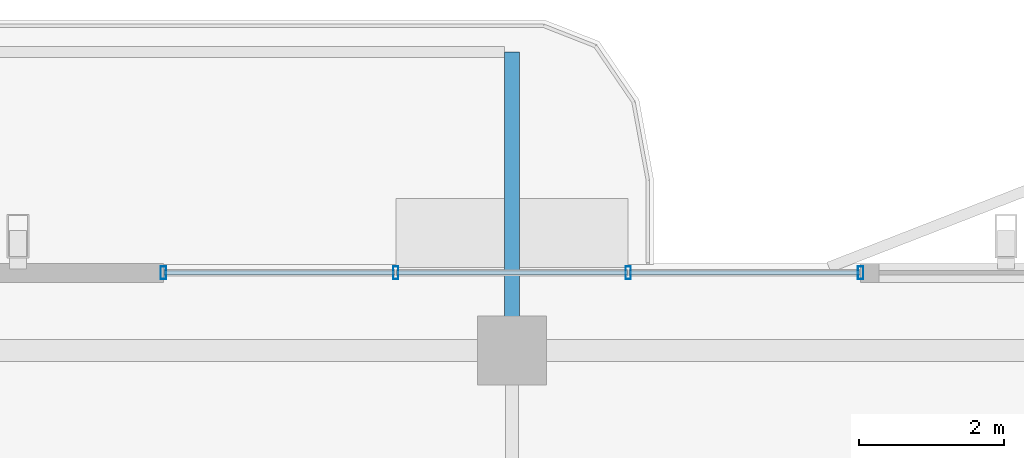
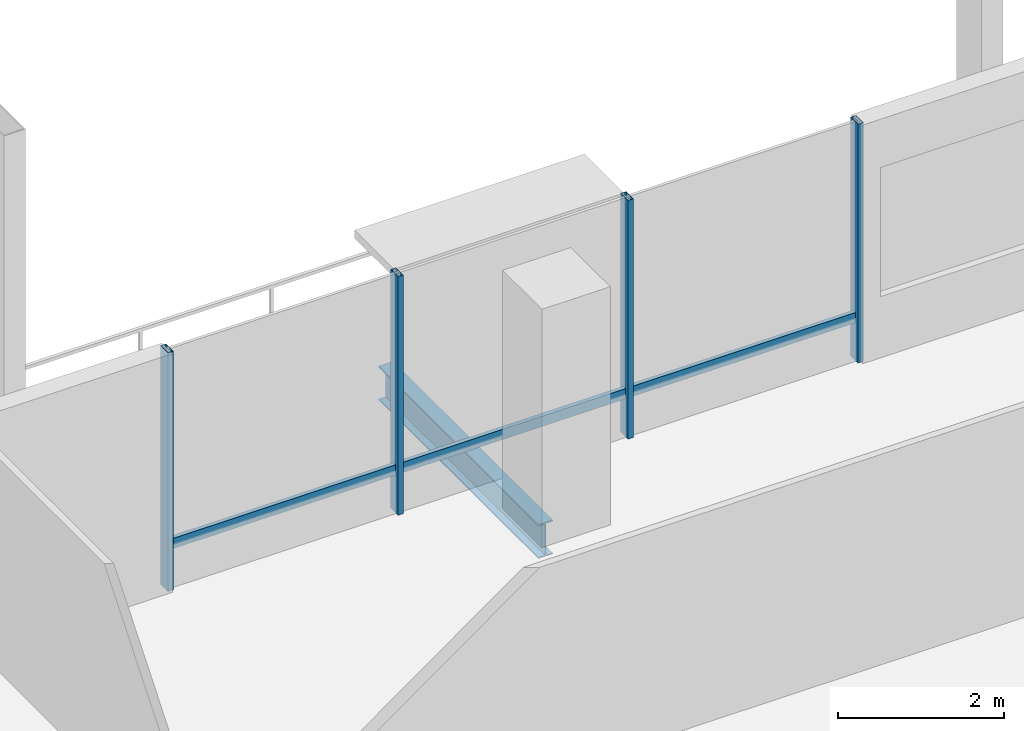
# One storey, part 11 of 20: 7 members, 1 beam, 1 element without a shape of its own.
"""IFC4 building model written with IfcOpenShell, lengths in metres."""

from ifc_helpers import new_model, si_unit, direction, frame, origin, origin_2d, place, context, subcontext, project, spatial, hollow_rectangle, i_section, extrude, material, layer, layer_set, material_profile, profile_set, type_object, element, aggregate, save


model = new_model("IFC4")

# Units and contexts
model_context = context("Model", 3, precision=1e-05, world=origin(), true_north=direction((0.0, 1.0)))
body_context = subcontext(model_context, "Body", "Model", "MODEL_VIEW")
ifc_project = project(units=[si_unit("LENGTHUNIT", "METRE"), si_unit("AREAUNIT", "SQUARE_METRE"), si_unit("VOLUMEUNIT", "CUBIC_METRE"), si_unit("PLANEANGLEUNIT", "RADIAN"), si_unit("MASSUNIT", "GRAM", prefix="KILO")], contexts=[model_context])

# Site, building, storey
site_placement = place(None, origin())
site = spatial("IfcSite", under=ifc_project, at=site_placement, CompositionType="ELEMENT")
building_placement = place(site_placement, origin())
building = spatial("IfcBuilding", under=site, at=building_placement, Name="Belovzor Exchange Tower", CompositionType="ELEMENT")
storey_placement = place(building_placement, frame((0.0, 0.0, 306.75)))
storey = spatial("IfcBuildingStorey", under=building, at=storey_placement, Name="L76", CompositionType="ELEMENT", Elevation=306.75)

# Beam
ifc_material_1 = material(Name="Steel S355", Category="steel")
ifc_material_profile_1 = material_profile(ifc_material_1, i_section(OverallWidth=0.199951171875, OverallDepth=0.5, WebThickness=0.01025390625, FlangeThickness=0.01611328125, at=origin_2d()))
ifc_profile_set_1 = profile_set([ifc_material_profile_1], Name="Steel S355")
beam_type = type_object("IfcBeamType", Name="Planted Balcony Cantilever Beam IPE 500", PredefinedType="BEAM", material=ifc_profile_set_1)
beam_placement = place(storey_placement, frame((28.800048828125, 50.660888671875, -0.489990234375), z_axis=(0.0, 1.0, 0.0), x_axis=(-1.0, 0.0, 0.0)))
element("IfcBeam", 1, at=beam_placement, inside=storey, type_object=beam_type, Name="BC-500 Planted Balcony Cantilever Beam IPE 500", PredefinedType="BEAM", context=body_context, shape_type="SweptSolid", body=[
    extrude(i_section(OverallWidth=0.199951171875, OverallDepth=0.5, WebThickness=0.01025390625, FlangeThickness=0.01611328125, at=origin_2d()), origin(), (0.0, 0.0, 1.0), 3.85009765625),
])

# Curtain wall, members
ifc_material_2 = material(Name="Anodised Aluminium Framing", Category="aluminium")
ifc_layer = layer(ifc_material_2, 0.179931640625)
ifc_layer_set = layer_set([ifc_layer], Name="Anodised Aluminium Framing")
curtain_wall_type = type_object("IfcCurtainWallType", Name="Recessed Loggia Low-Iron Triple-Glazed Curtain Wall", PredefinedType="NOTDEFINED", material=ifc_layer_set)
curtain_wall_placement = place(storey_placement, origin())
curtain_wall = element("IfcCurtainWall", 2, at=curtain_wall_placement, inside=storey, type_object=curtain_wall_type, Name="CW3 Recessed Loggia Low-Iron Triple-Glazed Curtain Wall L76", PredefinedType="NOTDEFINED")
ifc_material_3 = material(Name="Steel S355", Category="steel")
ifc_material_profile_2 = material_profile(ifc_material_3, hollow_rectangle(XDim=0.074951171875, YDim=0.179931640625, WallThickness=0.0048828125, at=origin_2d()))
ifc_profile_set_2 = profile_set([ifc_material_profile_2], Name="Steel S355")
member_type_1 = type_object("IfcMemberType", Name="Thermally Broken Curtain Wall Mullion 180x75", PredefinedType="MULLION", material=ifc_profile_set_2)
member_1_placement = place(storey_placement, frame((24.0, 51.469970703125, 0.0), z_axis=(0.0, 0.0, 1.0), x_axis=(1.0, 0.0, 0.0)))
member_1 = element("IfcMember", 3, at=member_1_placement, type_object=member_type_1, Name="CW-M180 Curtain Wall Mullion 1", PredefinedType="MULLION", context=body_context, shape_type="SweptSolid", body=[
    extrude(hollow_rectangle(XDim=0.074951171875, YDim=0.179931640625, WallThickness=0.0048828125, at=origin_2d()), origin(), (0.0, 0.0, 1.0), 3.510009765625),
])
member_2_placement = place(storey_placement, frame((27.199951171875, 51.469970703125, 0.0), z_axis=(0.0, 0.0, 1.0), x_axis=(1.0, 0.0, 0.0)))
member_2 = element("IfcMember", 4, at=member_2_placement, type_object=member_type_1, Name="CW-M180 Curtain Wall Mullion 2", PredefinedType="MULLION", context=body_context, shape_type="SweptSolid", body=[
    extrude(hollow_rectangle(XDim=0.074951171875, YDim=0.179931640625, WallThickness=0.0048828125, at=origin_2d()), origin(), (0.0, 0.0, 1.0), 3.510009765625),
])
member_3_placement = place(storey_placement, frame((30.39990234375, 51.469970703125, 0.0), z_axis=(0.0, 0.0, 1.0), x_axis=(1.0, 0.0, 0.0)))
member_3 = element("IfcMember", 5, at=member_3_placement, type_object=member_type_1, Name="CW-M180 Curtain Wall Mullion 3", PredefinedType="MULLION", context=body_context, shape_type="SweptSolid", body=[
    extrude(hollow_rectangle(XDim=0.074951171875, YDim=0.179931640625, WallThickness=0.0048828125, at=origin_2d()), origin(), (0.0, 0.0, 1.0), 3.510009765625),
])
member_4_placement = place(storey_placement, frame((33.60009765625, 51.469970703125, 0.0), z_axis=(0.0, 0.0, 1.0), x_axis=(1.0, 0.0, 0.0)))
member_4 = element("IfcMember", 6, at=member_4_placement, type_object=member_type_1, Name="CW-M180 Curtain Wall Mullion 4", PredefinedType="MULLION", context=body_context, shape_type="SweptSolid", body=[
    extrude(hollow_rectangle(XDim=0.074951171875, YDim=0.179931640625, WallThickness=0.0048828125, at=origin_2d()), origin(), (0.0, 0.0, 1.0), 3.510009765625),
])
ifc_material_4 = material(Name="Steel S355", Category="steel")
ifc_material_profile_3 = material_profile(ifc_material_4, hollow_rectangle(XDim=0.06005859375, YDim=0.14990234375, WallThickness=0.00390625, at=origin_2d()))
ifc_profile_set_3 = profile_set([ifc_material_profile_3], Name="Steel S355")
member_type_2 = type_object("IfcMemberType", Name="Thermally Broken Curtain Wall Transom 150x60", PredefinedType="USERDEFINED", material=ifc_profile_set_3)
member_5_placement = place(storey_placement, frame((24.008056640625, 51.469970703125, 0.632080078125), z_axis=(1.0, 0.0, 0.0), x_axis=(0.0, 1.0, 0.0)))
member_5 = element("IfcMember", 7, at=member_5_placement, type_object=member_type_2, Name="CW-T150 Curtain Wall Transom 1", ObjectType="TRANSOM", PredefinedType="USERDEFINED", context=body_context, shape_type="SweptSolid", body=[
    extrude(hollow_rectangle(XDim=0.06005859375, YDim=0.14990234375, WallThickness=0.00390625, at=origin_2d()), origin(), (0.0, 0.0, 1.0), 3.183837890625),
])
member_6_placement = place(storey_placement, frame((27.2080078125, 51.469970703125, 0.632080078125), z_axis=(1.0, 0.0, 0.0), x_axis=(0.0, 1.0, 0.0)))
member_6 = element("IfcMember", 8, at=member_6_placement, type_object=member_type_2, Name="CW-T150 Curtain Wall Transom 2", ObjectType="TRANSOM", PredefinedType="USERDEFINED", context=body_context, shape_type="SweptSolid", body=[
    extrude(hollow_rectangle(XDim=0.06005859375, YDim=0.14990234375, WallThickness=0.00390625, at=origin_2d()), origin(), (0.0, 0.0, 1.0), 3.18408203125),
])
member_7_placement = place(storey_placement, frame((30.407958984375, 51.469970703125, 0.632080078125), z_axis=(1.0, 0.0, 0.0), x_axis=(0.0, 1.0, 0.0)))
member_7 = element("IfcMember", 9, at=member_7_placement, type_object=member_type_2, Name="CW-T150 Curtain Wall Transom 3", ObjectType="TRANSOM", PredefinedType="USERDEFINED", context=body_context, shape_type="SweptSolid", body=[
    extrude(hollow_rectangle(XDim=0.06005859375, YDim=0.14990234375, WallThickness=0.00390625, at=origin_2d()), origin(), (0.0, 0.0, 1.0), 3.18408203125),
])
aggregate(curtain_wall, [member_1, member_2, member_3, member_4, member_5, member_6, member_7])

save(model, "model.ifc")
